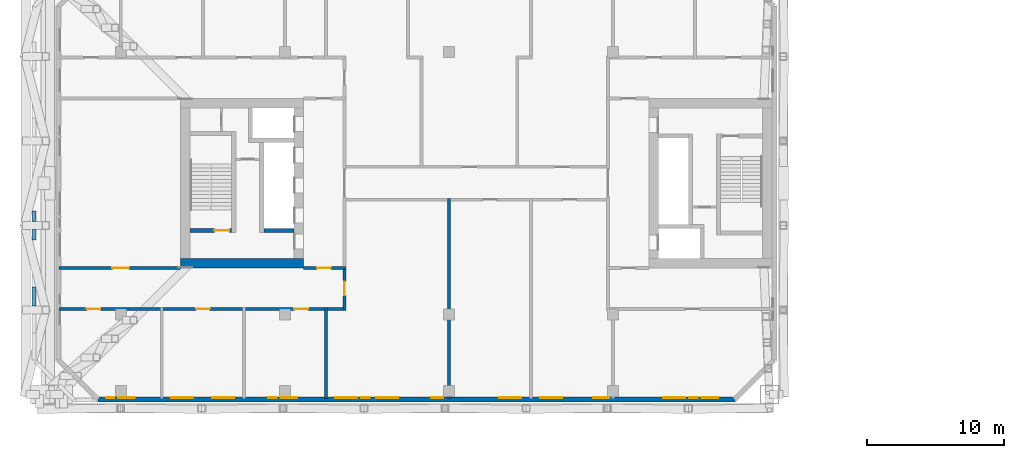
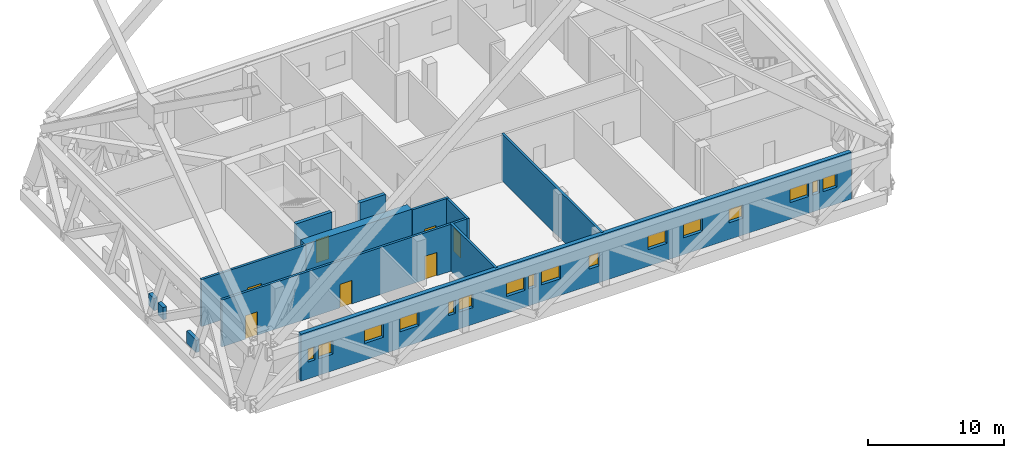
# One storey, part 7 of 20: 16 windows, 13 walls, 7 doors, 23 openings.
"""IFC4 building model written with IfcOpenShell, lengths in metres."""

import ifcopenshell
import ifcopenshell.guid

model = None  # the IFC model being written
_history = None  # IfcOwnerHistory: only IFC2X3 demands one
_inside = {}  # id of a spatial element -> (the spatial element, [elements in it])
_under = {}  # id of a project, library or spatial element -> (it, [spatial elements below it])
_declared = {}  # id of a project -> (the project, [libraries it declares])
_typed = {}  # id of a type object -> (the type object, [elements of that type])
_made_of = {}  # id of a material, layer set ... -> (it, [elements and type objects made of it])


def new_model(schema):
    """Start an empty IFC model of exactly this schema.

    Asked for "IFC4X3", IfcOpenShell would pick the latest addendum, in which some entities
    have other attributes; the version numbers below select the first issue.
    IFC2X3 requires an IfcOwnerHistory on every rooted entity: one is made here for all.
    """
    global model, _history
    if schema == "IFC4X3":
        model = ifcopenshell.file(schema_version=(4, 3, 0, 0))
    else:
        model = ifcopenshell.file(schema=schema)
    _inside.clear()
    _under.clear()
    _declared.clear()
    _typed.clear()
    _made_of.clear()
    _history = None
    if model.schema == "IFC2X3":
        org = make("IfcOrganization", Name="unknown")
        user = make(
            "IfcPersonAndOrganization",
            ThePerson=make("IfcPerson", FamilyName="unknown"),
            TheOrganization=org,
        )
        app = make(
            "IfcApplication",
            ApplicationDeveloper=org,
            Version="unknown",
            ApplicationFullName="unknown",
            ApplicationIdentifier="unknown",
        )
        _history = make(
            "IfcOwnerHistory",
            OwningUser=user,
            OwningApplication=app,
            ChangeAction="ADDED",
            CreationDate=0,
        )
    return model


def make(cls, **values):
    """One entity of the class cls with the attributes given. An attribute that is None is left unset."""
    return model.create_entity(
        cls, **{name: value for name, value in values.items() if value is not None}
    )


def rooted(cls, **values):
    """An entity with a GlobalId (a new one), such as an element, a storey or a relation."""
    return make(cls, GlobalId=ifcopenshell.guid.new(), OwnerHistory=_history, **values)


def si_unit(unit_type, name, prefix=None):
    """IfcSIUnit, for example si_unit("LENGTHUNIT", "METRE", prefix="MILLI")."""
    return make("IfcSIUnit", UnitType=unit_type, Prefix=prefix, Name=name)


def assignment(units):
    """IfcUnitAssignment: the units of a project."""
    return None if units is None else make("IfcUnitAssignment", Units=units)


def point(xyz):
    """IfcCartesianPoint."""
    return None if xyz is None else make("IfcCartesianPoint", Coordinates=xyz)


def direction(xyz):
    """IfcDirection."""
    return None if xyz is None else make("IfcDirection", DirectionRatios=xyz)


def frame(location, z_axis=None, x_axis=None):
    """IfcAxis2Placement3D, a coordinate frame: its origin and axes. An axis left out is left unset."""
    return make(
        "IfcAxis2Placement3D",
        Location=point(location),
        Axis=direction(z_axis),
        RefDirection=direction(x_axis),
    )


def frame_2d(location, x_axis=None):
    """IfcAxis2Placement2D, a coordinate frame in the plane: its origin and x axis."""
    return make(
        "IfcAxis2Placement2D", Location=point(location), RefDirection=direction(x_axis)
    )


def origin():
    """The frame at (0, 0, 0) with its axes left unset."""
    return frame((0.0, 0.0, 0.0))


def place(relative_to, where):
    """IfcLocalPlacement: puts the frame where relative to a parent placement (None: the world)."""
    return make(
        "IfcLocalPlacement", PlacementRelTo=relative_to, RelativePlacement=where
    )


def context(
    kind, dimensions, precision=None, world=None, true_north=None, identifier=None
):
    """IfcGeometricRepresentationContext, for example the 3D "Model" context."""
    return make(
        "IfcGeometricRepresentationContext",
        ContextIdentifier=identifier,
        ContextType=kind,
        CoordinateSpaceDimension=dimensions,
        Precision=precision,
        WorldCoordinateSystem=world,
        TrueNorth=true_north,
    )


def subcontext(parent, identifier, kind, view, scale=None):
    """IfcGeometricRepresentationSubContext, for example "Body" below "Model"."""
    return make(
        "IfcGeometricRepresentationSubContext",
        ContextIdentifier=identifier,
        ContextType=kind,
        ParentContext=parent,
        TargetScale=scale,
        TargetView=view,
    )


def project(units=None, contexts=None):
    """IfcProject with its units and contexts."""
    return rooted(
        "IfcProject",
        Name="project",
        RepresentationContexts=contexts,
        UnitsInContext=assignment(units),
    )


def spatial(cls, under=None, at=None, **own):
    """A site, building, storey or space (cls), placed at a placement, below another one or the project."""
    s = rooted(cls, ObjectPlacement=at, **own)
    if under is not None:
        _under.setdefault(under.id(), (under, []))[1].append(s)
    return s


def profile(cls, at=None, kind="AREA", **sizes):
    """A parametric profile (cls). Its sizes go by their IFC names, for example OverallWidth=200.0."""
    return make(cls, ProfileType=kind, Position=at, **sizes)


def rectangle(**sizes):
    """IfcRectangleProfileDef."""
    return profile("IfcRectangleProfileDef", **sizes)


def extrude(swept, where, along, depth):
    """IfcExtrudedAreaSolid: the profile swept, set in the frame where, extruded along a direction by depth."""
    return make(
        "IfcExtrudedAreaSolid",
        SweptArea=swept,
        Position=where,
        ExtrudedDirection=direction(along),
        Depth=depth,
    )


def shape(context_of_items, identifier, shape_type, items):
    """IfcShapeRepresentation: the items that make up one representation, for example the "Body"."""
    return make(
        "IfcShapeRepresentation",
        ContextOfItems=context_of_items,
        RepresentationIdentifier=identifier,
        RepresentationType=shape_type,
        Items=items,
    )


def material(Name=None, Category=None):
    """IfcMaterial."""
    return make("IfcMaterial", Name=Name, Category=Category)


def layer(
    of_material, thickness, ventilated=None, Name=None, Category=None, Priority=None
):
    """IfcMaterialLayer: one layer of a wall or slab, of a material (None: an air gap)."""
    return make(
        "IfcMaterialLayer",
        Material=of_material,
        LayerThickness=thickness,
        IsVentilated=ventilated,
        Name=Name,
        Category=Category,
        Priority=Priority,
    )


def layer_set(layers, Name=None):
    """IfcMaterialLayerSet."""
    return make("IfcMaterialLayerSet", MaterialLayers=layers, LayerSetName=Name)


def made_of(thing, what):
    """Note that an element or type object is made of a material, layer set ...; save() writes the relation."""
    if what is not None:
        _made_of.setdefault(what.id(), (what, []))[1].append(thing)
    return thing


def type_object(cls, material=None, **own):
    """A type object (cls), such as IfcWallType, which elements share."""
    return made_of(rooted(cls, **own), material)


def element(
    cls,
    number,
    at=None,
    inside=None,
    cuts=None,
    type_object=None,
    material=None,
    context=None,
    identifier="Body",
    shape_type=None,
    held_by="IfcProductDefinitionShape",
    body=None,
    shapes=None,
    **own,
):
    """One element of the class cls, such as IfcWall. Its Tag is "e" and its number.

    at: its placement. inside: the storey or other place that contains it. cuts: it is an
    opening in that element (IfcRelVoidsElement). A single representation is given by context,
    identifier, shape_type and body (its items); several are given by shapes. held_by: the class
    of the entity that holds the representations. save() writes the other relations.
    """
    e = rooted(cls, Tag="e%d" % number, ObjectPlacement=at, **own)
    if body is not None:
        shapes = [shape(context, identifier, shape_type, body)]
    if shapes is not None:
        e.Representation = make(held_by, Representations=shapes)
    if inside is not None:
        _inside.setdefault(inside.id(), (inside, []))[1].append(e)
    if cuts is not None:
        rooted(
            "IfcRelVoidsElement", RelatingBuildingElement=cuts, RelatedOpeningElement=e
        )
    if type_object is not None:
        _typed.setdefault(type_object.id(), (type_object, []))[1].append(e)
    return made_of(e, material)


def fill(opening, filler):
    """IfcRelFillsElement: the door or window that sits in an opening."""
    return rooted(
        "IfcRelFillsElement",
        RelatingOpeningElement=opening,
        RelatedBuildingElement=filler,
    )


def aggregate(whole, parts):
    """IfcRelAggregates: a whole, such as a stair, and the parts it consists of."""
    return rooted("IfcRelAggregates", RelatingObject=whole, RelatedObjects=parts)


def save(model, path):
    """Write the relations noted so far, then the file.

    IfcRelAggregates (storeys below a building ...), IfcRelContainedInSpatialStructure (elements
    in a storey), IfcRelDefinesByType, IfcRelAssociatesMaterial and IfcRelDeclares: one each for
    every whole, place, type object, material and project.
    """
    for whole, parts in _under.values():
        aggregate(whole, parts)
    for where, things in _inside.values():
        rooted(
            "IfcRelContainedInSpatialStructure",
            RelatedElements=things,
            RelatingStructure=where,
        )
    for kind, things in _typed.values():
        rooted("IfcRelDefinesByType", RelatedObjects=things, RelatingType=kind)
    for what, things in _made_of.values():
        rooted("IfcRelAssociatesMaterial", RelatedObjects=things, RelatingMaterial=what)
    for by, libraries in _declared.values():
        rooted("IfcRelDeclares", RelatingContext=by, RelatedDefinitions=libraries)
    model.write(path)


model = new_model("IFC4")

# Units and contexts
model_context = context("Model", 3, precision=1e-05, world=origin(), true_north=direction((0.0, 1.0)))
body_context = subcontext(model_context, "Body", "Model", "MODEL_VIEW")
ifc_project = project(units=[si_unit("LENGTHUNIT", "METRE"), si_unit("AREAUNIT", "SQUARE_METRE"), si_unit("VOLUMEUNIT", "CUBIC_METRE"), si_unit("PLANEANGLEUNIT", "RADIAN"), si_unit("MASSUNIT", "GRAM", prefix="KILO")], contexts=[model_context])

# Site, building, storey
site_placement = place(None, origin())
site = spatial("IfcSite", under=ifc_project, at=site_placement, CompositionType="ELEMENT")
building_placement = place(site_placement, origin())
building = spatial("IfcBuilding", under=site, at=building_placement, Name="Tuart Gate Housing", CompositionType="ELEMENT")
storey_placement = place(building_placement, frame((0.0, 0.0, 62.89990234375)))
storey = spatial("IfcBuildingStorey", under=building, at=storey_placement, Name="L17", CompositionType="ELEMENT", Elevation=62.89990234375)

# Walls
ifc_material_1 = material(Name="Brick", Category="masonry")
ifc_layer_1 = layer(ifc_material_1, 0.300048828125)
ifc_layer_set_1 = layer_set([ifc_layer_1], Name="Brick parapet wall 300")
wall_type_1 = type_object("IfcWallType", Name="Brick parapet wall 300", PredefinedType="PARAPET", material=ifc_layer_set_1)
for number, where, z_axis, x_axis, name in (
    (1, (21.64990234375, 67.96826171875, 0.0), (0.0, 0.0, 1.0), (0.0, -1.0, 0.0), "Roof parapet A 3"),
    (2, (21.64990234375, 66.626953125, 0.0), (0.0, 0.0, 1.0), (0.0, -1.0, 0.0), "Roof parapet A 3"),
):
    element("IfcWall", number, at=place(storey_placement, frame(where, z_axis=z_axis, x_axis=x_axis)), inside=storey, type_object=wall_type_1, Name=name, PredefinedType="PARAPET", context=body_context, shape_type="SweptSolid", body=[
        extrude(rectangle(XDim=0.775146484375, YDim=0.300048828125, at=frame_2d((0.3876953125, 0.0))), origin(), (0.0, 0.0, 1.0), 1.10009765625),
    ])
wall_1_placement = place(storey_placement, frame((21.64990234375, 62.416015625, 0.0), z_axis=(0.0, 0.0, 1.0), x_axis=(0.0, -1.0, 0.0)))
element("IfcWall", 3, at=wall_1_placement, inside=storey, type_object=wall_type_1, Name="Roof parapet A 3", PredefinedType="PARAPET", context=body_context, shape_type="SweptSolid", body=[
    extrude(rectangle(XDim=1.403076171875, YDim=0.300048828125, at=frame_2d((0.70166015625, 0.0))), origin(), (0.0, 0.0, 1.0), 1.10009765625),
])

# Wall, openings, windows
ifc_material_2 = material(Name="Brick", Category="masonry")
ifc_layer_2 = layer(ifc_material_2, 0.360107421875)
ifc_layer_set_2 = layer_set([ifc_layer_2], Name="Brick pier and spandrel wall 360")
wall_type_2 = type_object("IfcWallType", Name="Brick pier and spandrel wall 360", PredefinedType="STANDARD", material=ifc_layer_set_2)
wall_2_placement = place(storey_placement, frame((26.32470703125, 54.179931640625, 0.0), z_axis=(0.0, 0.0, 1.0), x_axis=(1.0, 0.0, 0.0)))
wall_2 = element("IfcWall", 4, at=wall_2_placement, inside=storey, type_object=wall_type_2, Name="External wall A-S L17", PredefinedType="STANDARD", context=body_context, shape_type="SweptSolid", body=[
    extrude(rectangle(XDim=46.600830078125, YDim=0.360107421875, at=frame_2d((23.30029296875, 0.0))), origin(), (0.0, 0.0, 1.0), 4.2001953125),
])
opening_1_placement = place(wall_2_placement, frame((0.60009765625, 0.0, 1.5)))
opening_1 = element("IfcOpeningElement", 5, at=opening_1_placement, cuts=wall_2, Name="Opening W3C", PredefinedType="OPENING", context=body_context, shape_type="SweptSolid", body=[
    extrude(rectangle(XDim=0.60009765625, YDim=1.199951171875, at=frame_2d((0.300048828125, 0.60009765625))), frame((0.0, 0.18994140625, 0.0), z_axis=(0.0, -1.0, 0.0), x_axis=(1.0, 0.0, 0.0)), (0.0, 0.0, 1.0), 0.380126953125),
])
opening_2_placement = place(wall_2_placement, frame((5.37548828125, 0.0, 1.5)))
opening_2 = element("IfcOpeningElement", 6, at=opening_2_placement, cuts=wall_2, Name="Opening W3", PredefinedType="OPENING", context=body_context, shape_type="SweptSolid", body=[
    extrude(rectangle(XDim=1.60009765625, YDim=1.199951171875, at=frame_2d((0.800048828125, 0.60009765625))), frame((0.0, 0.18994140625, 0.0), z_axis=(0.0, -1.0, 0.0), x_axis=(1.0, 0.0, 0.0)), (0.0, 0.0, 1.0), 0.380126953125),
])
opening_3_placement = place(wall_2_placement, frame((8.37548828125, 0.0, 1.5)))
opening_3 = element("IfcOpeningElement", 7, at=opening_3_placement, cuts=wall_2, Name="Opening W3", PredefinedType="OPENING", context=body_context, shape_type="SweptSolid", body=[
    extrude(rectangle(XDim=1.60009765625, YDim=1.199951171875, at=frame_2d((0.800048828125, 0.60009765625))), frame((0.0, 0.18994140625, 0.0), z_axis=(0.0, -1.0, 0.0), x_axis=(1.0, 0.0, 0.0)), (0.0, 0.0, 1.0), 0.380126953125),
])
opening_4_placement = place(wall_2_placement, frame((12.475341796875, 0.0, 1.5)))
opening_4 = element("IfcOpeningElement", 8, at=opening_4_placement, cuts=wall_2, Name="Opening W3C", PredefinedType="OPENING", context=body_context, shape_type="SweptSolid", body=[
    extrude(rectangle(XDim=0.60009765625, YDim=1.199951171875, at=frame_2d((0.300048828125, 0.60009765625))), frame((0.0, 0.18994140625, 0.0), z_axis=(0.0, -1.0, 0.0), x_axis=(1.0, 0.0, 0.0)), (0.0, 0.0, 1.0), 0.380126953125),
])
opening_5_placement = place(wall_2_placement, frame((13.37548828125, 0.0, 1.5)))
opening_5 = element("IfcOpeningElement", 9, at=opening_5_placement, cuts=wall_2, Name="Opening W3A", PredefinedType="OPENING", context=body_context, shape_type="SweptSolid", body=[
    extrude(rectangle(XDim=1.199951171875, YDim=1.199951171875, at=frame_2d((0.60009765625, 0.60009765625))), frame((0.0, 0.18994140625, 0.0), z_axis=(0.0, -1.0, 0.0), x_axis=(1.0, 0.0, 0.0)), (0.0, 0.0, 1.0), 0.380126953125),
])
opening_6_placement = place(wall_2_placement, frame((17.37548828125, 0.0, 1.5)))
opening_6 = element("IfcOpeningElement", 10, at=opening_6_placement, cuts=wall_2, Name="Opening W3", PredefinedType="OPENING", context=body_context, shape_type="SweptSolid", body=[
    extrude(rectangle(XDim=1.60009765625, YDim=1.199951171875, at=frame_2d((0.800048828125, 0.60009765625))), frame((0.0, 0.18994140625, 0.0), z_axis=(0.0, -1.0, 0.0), x_axis=(1.0, 0.0, 0.0)), (0.0, 0.0, 1.0), 0.380126953125),
])
opening_7_placement = place(wall_2_placement, frame((20.37548828125, 0.0, 1.5)))
opening_7 = element("IfcOpeningElement", 11, at=opening_7_placement, cuts=wall_2, Name="Opening W3", PredefinedType="OPENING", context=body_context, shape_type="SweptSolid", body=[
    extrude(rectangle(XDim=1.60009765625, YDim=1.199951171875, at=frame_2d((0.800048828125, 0.60009765625))), frame((0.0, 0.18994140625, 0.0), z_axis=(0.0, -1.0, 0.0), x_axis=(1.0, 0.0, 0.0)), (0.0, 0.0, 1.0), 0.380126953125),
])
opening_8_placement = place(wall_2_placement, frame((19.275390625, 0.0, 1.5)))
opening_8 = element("IfcOpeningElement", 12, at=opening_8_placement, cuts=wall_2, Name="Opening W3C", PredefinedType="OPENING", context=body_context, shape_type="SweptSolid", body=[
    extrude(rectangle(XDim=0.60009765625, YDim=1.199951171875, at=frame_2d((0.300048828125, 0.60009765625))), frame((0.0, 0.18994140625, 0.0), z_axis=(0.0, -1.0, 0.0), x_axis=(1.0, 0.0, 0.0)), (0.0, 0.0, 1.0), 0.380126953125),
])
opening_9_placement = place(wall_2_placement, frame((29.37548828125, 0.0, 1.5)))
opening_9 = element("IfcOpeningElement", 13, at=opening_9_placement, cuts=wall_2, Name="Opening W3", PredefinedType="OPENING", context=body_context, shape_type="SweptSolid", body=[
    extrude(rectangle(XDim=1.60009765625, YDim=1.199951171875, at=frame_2d((0.800048828125, 0.60009765625))), frame((0.0, 0.18994140625, 0.0), z_axis=(0.0, -1.0, 0.0), x_axis=(1.0, 0.0, 0.0)), (0.0, 0.0, 1.0), 0.380126953125),
])
opening_10_placement = place(wall_2_placement, frame((32.37548828125, 0.0, 1.5)))
opening_10 = element("IfcOpeningElement", 14, at=opening_10_placement, cuts=wall_2, Name="Opening W3", PredefinedType="OPENING", context=body_context, shape_type="SweptSolid", body=[
    extrude(rectangle(XDim=1.60009765625, YDim=1.199951171875, at=frame_2d((0.800048828125, 0.60009765625))), frame((0.0, 0.18994140625, 0.0), z_axis=(0.0, -1.0, 0.0), x_axis=(1.0, 0.0, 0.0)), (0.0, 0.0, 1.0), 0.380126953125),
])
opening_11_placement = place(wall_2_placement, frame((36.225341796875, 0.0, 1.5)))
opening_11 = element("IfcOpeningElement", 15, at=opening_11_placement, cuts=wall_2, Name="Opening W3A", PredefinedType="OPENING", context=body_context, shape_type="SweptSolid", body=[
    extrude(rectangle(XDim=1.199951171875, YDim=1.199951171875, at=frame_2d((0.60009765625, 0.60009765625))), frame((0.0, 0.18994140625, 0.0), z_axis=(0.0, -1.0, 0.0), x_axis=(1.0, 0.0, 0.0)), (0.0, 0.0, 1.0), 0.380126953125),
])
opening_12_placement = place(wall_2_placement, frame((43.275390625, 0.0, 1.5)))
opening_12 = element("IfcOpeningElement", 16, at=opening_12_placement, cuts=wall_2, Name="Opening W3C", PredefinedType="OPENING", context=body_context, shape_type="SweptSolid", body=[
    extrude(rectangle(XDim=0.60009765625, YDim=1.199951171875, at=frame_2d((0.300048828125, 0.60009765625))), frame((0.0, 0.18994140625, 0.0), z_axis=(0.0, -1.0, 0.0), x_axis=(1.0, 0.0, 0.0)), (0.0, 0.0, 1.0), 0.380126953125),
])
opening_13_placement = place(wall_2_placement, frame((41.37548828125, 0.0, 1.5)))
opening_13 = element("IfcOpeningElement", 17, at=opening_13_placement, cuts=wall_2, Name="Opening W3", PredefinedType="OPENING", context=body_context, shape_type="SweptSolid", body=[
    extrude(rectangle(XDim=1.60009765625, YDim=1.199951171875, at=frame_2d((0.800048828125, 0.60009765625))), frame((0.0, 0.18994140625, 0.0), z_axis=(0.0, -1.0, 0.0), x_axis=(1.0, 0.0, 0.0)), (0.0, 0.0, 1.0), 0.380126953125),
])
opening_14_placement = place(wall_2_placement, frame((44.17529296875, 0.0, 1.5)))
opening_14 = element("IfcOpeningElement", 18, at=opening_14_placement, cuts=wall_2, Name="Opening W3A", PredefinedType="OPENING", context=body_context, shape_type="SweptSolid", body=[
    extrude(rectangle(XDim=1.199951171875, YDim=1.199951171875, at=frame_2d((0.60009765625, 0.60009765625))), frame((0.0, 0.18994140625, 0.0), z_axis=(0.0, -1.0, 0.0), x_axis=(1.0, 0.0, 0.0)), (0.0, 0.0, 1.0), 0.380126953125),
])
opening_15_placement = place(wall_2_placement, frame((1.5, 0.0, 1.5)))
opening_15 = element("IfcOpeningElement", 19, at=opening_15_placement, cuts=wall_2, Name="Opening W3A", PredefinedType="OPENING", context=body_context, shape_type="SweptSolid", body=[
    extrude(rectangle(XDim=1.199951171875, YDim=1.199951171875, at=frame_2d((0.60009765625, 0.60009765625))), frame((0.0, 0.18994140625, 0.0), z_axis=(0.0, -1.0, 0.0), x_axis=(1.0, 0.0, 0.0)), (0.0, 0.0, 1.0), 0.380126953125),
])
opening_16_placement = place(wall_2_placement, frame((24.37548828125, 0.0, 1.5)))
opening_16 = element("IfcOpeningElement", 20, at=opening_16_placement, cuts=wall_2, Name="Opening W3B", PredefinedType="OPENING", context=body_context, shape_type="SweptSolid", body=[
    extrude(rectangle(XDim=0.89990234375, YDim=1.199951171875, at=frame_2d((0.449951171875, 0.60009765625))), frame((0.0, 0.18994140625, 0.0), z_axis=(0.0, -1.0, 0.0), x_axis=(1.0, 0.0, 0.0)), (0.0, 0.0, 1.0), 0.380126953125),
])
ifc_material_3 = material(Name="Aluminium louvre blades", Category="aluminium")
window_type_1 = type_object("IfcWindowType", Name="Louvre window 1200 x 1200", PartitioningType="DOUBLE_PANEL_HORIZONTAL", PredefinedType="WINDOW", material=ifc_material_3)
window_1_placement = place(opening_5_placement, origin())
window_1 = element("IfcWindow", 21, at=window_1_placement, inside=storey, type_object=window_type_1, Name="Louvre W3A", OverallHeight=1.199951171875, OverallWidth=1.199951171875, PartitioningType="DOUBLE_PANEL_HORIZONTAL", PredefinedType="WINDOW", context=body_context, shape_type="SweptSolid", body=[
    extrude(rectangle(XDim=1.199951171875, YDim=1.199951171875, at=frame_2d((0.60009765625, 0.60009765625))), frame((0.0, 0.150146484375, 0.0), z_axis=(0.0, -1.0, 0.0), x_axis=(1.0, 0.0, 0.0)), (0.0, 0.0, 1.0), 0.06005859375),
])
fill(opening_5, window_1)
window_2_placement = place(opening_11_placement, origin())
window_2 = element("IfcWindow", 22, at=window_2_placement, inside=storey, type_object=window_type_1, Name="Louvre W3A", OverallHeight=1.199951171875, OverallWidth=1.199951171875, PartitioningType="DOUBLE_PANEL_HORIZONTAL", PredefinedType="WINDOW", context=body_context, shape_type="SweptSolid", body=[
    extrude(rectangle(XDim=1.199951171875, YDim=1.199951171875, at=frame_2d((0.60009765625, 0.60009765625))), frame((0.0, 0.150146484375, 0.0), z_axis=(0.0, -1.0, 0.0), x_axis=(1.0, 0.0, 0.0)), (0.0, 0.0, 1.0), 0.06005859375),
])
fill(opening_11, window_2)
window_3_placement = place(opening_14_placement, origin())
window_3 = element("IfcWindow", 23, at=window_3_placement, inside=storey, type_object=window_type_1, Name="Louvre W3A", OverallHeight=1.199951171875, OverallWidth=1.199951171875, PartitioningType="DOUBLE_PANEL_HORIZONTAL", PredefinedType="WINDOW", context=body_context, shape_type="SweptSolid", body=[
    extrude(rectangle(XDim=1.199951171875, YDim=1.199951171875, at=frame_2d((0.60009765625, 0.60009765625))), frame((0.0, 0.150146484375, 0.0), z_axis=(0.0, -1.0, 0.0), x_axis=(1.0, 0.0, 0.0)), (0.0, 0.0, 1.0), 0.06005859375),
])
fill(opening_14, window_3)
window_4_placement = place(opening_15_placement, origin())
window_4 = element("IfcWindow", 24, at=window_4_placement, inside=storey, type_object=window_type_1, Name="Louvre W3A", OverallHeight=1.199951171875, OverallWidth=1.199951171875, PartitioningType="DOUBLE_PANEL_HORIZONTAL", PredefinedType="WINDOW", context=body_context, shape_type="SweptSolid", body=[
    extrude(rectangle(XDim=1.199951171875, YDim=1.199951171875, at=frame_2d((0.60009765625, 0.60009765625))), frame((0.0, 0.150146484375, 0.0), z_axis=(0.0, -1.0, 0.0), x_axis=(1.0, 0.0, 0.0)), (0.0, 0.0, 1.0), 0.06005859375),
])
fill(opening_15, window_4)
ifc_material_4 = material(Name="Aluminium louvre blades", Category="aluminium")
window_type_2 = type_object("IfcWindowType", Name="Louvre window 1600 x 1200", PartitioningType="DOUBLE_PANEL_HORIZONTAL", PredefinedType="WINDOW", material=ifc_material_4)
window_5_placement = place(opening_2_placement, origin())
window_5 = element("IfcWindow", 25, at=window_5_placement, inside=storey, type_object=window_type_2, Name="Louvre W3", OverallHeight=1.199951171875, OverallWidth=1.60009765625, PartitioningType="DOUBLE_PANEL_HORIZONTAL", PredefinedType="WINDOW", context=body_context, shape_type="SweptSolid", body=[
    extrude(rectangle(XDim=1.60009765625, YDim=1.199951171875, at=frame_2d((0.800048828125, 0.60009765625))), frame((0.0, 0.150146484375, 0.0), z_axis=(0.0, -1.0, 0.0), x_axis=(1.0, 0.0, 0.0)), (0.0, 0.0, 1.0), 0.06005859375),
])
fill(opening_2, window_5)
window_6_placement = place(opening_3_placement, origin())
window_6 = element("IfcWindow", 26, at=window_6_placement, inside=storey, type_object=window_type_2, Name="Louvre W3", OverallHeight=1.199951171875, OverallWidth=1.60009765625, PartitioningType="DOUBLE_PANEL_HORIZONTAL", PredefinedType="WINDOW", context=body_context, shape_type="SweptSolid", body=[
    extrude(rectangle(XDim=1.60009765625, YDim=1.199951171875, at=frame_2d((0.800048828125, 0.60009765625))), frame((0.0, 0.150146484375, 0.0), z_axis=(0.0, -1.0, 0.0), x_axis=(1.0, 0.0, 0.0)), (0.0, 0.0, 1.0), 0.06005859375),
])
fill(opening_3, window_6)
window_7_placement = place(opening_6_placement, origin())
window_7 = element("IfcWindow", 27, at=window_7_placement, inside=storey, type_object=window_type_2, Name="Louvre W3", OverallHeight=1.199951171875, OverallWidth=1.60009765625, PartitioningType="DOUBLE_PANEL_HORIZONTAL", PredefinedType="WINDOW", context=body_context, shape_type="SweptSolid", body=[
    extrude(rectangle(XDim=1.60009765625, YDim=1.199951171875, at=frame_2d((0.800048828125, 0.60009765625))), frame((0.0, 0.150146484375, 0.0), z_axis=(0.0, -1.0, 0.0), x_axis=(1.0, 0.0, 0.0)), (0.0, 0.0, 1.0), 0.06005859375),
])
fill(opening_6, window_7)
window_8_placement = place(opening_7_placement, origin())
window_8 = element("IfcWindow", 28, at=window_8_placement, inside=storey, type_object=window_type_2, Name="Louvre W3", OverallHeight=1.199951171875, OverallWidth=1.60009765625, PartitioningType="DOUBLE_PANEL_HORIZONTAL", PredefinedType="WINDOW", context=body_context, shape_type="SweptSolid", body=[
    extrude(rectangle(XDim=1.60009765625, YDim=1.199951171875, at=frame_2d((0.800048828125, 0.60009765625))), frame((0.0, 0.150146484375, 0.0), z_axis=(0.0, -1.0, 0.0), x_axis=(1.0, 0.0, 0.0)), (0.0, 0.0, 1.0), 0.06005859375),
])
fill(opening_7, window_8)
window_9_placement = place(opening_9_placement, origin())
window_9 = element("IfcWindow", 29, at=window_9_placement, inside=storey, type_object=window_type_2, Name="Louvre W3", OverallHeight=1.199951171875, OverallWidth=1.60009765625, PartitioningType="DOUBLE_PANEL_HORIZONTAL", PredefinedType="WINDOW", context=body_context, shape_type="SweptSolid", body=[
    extrude(rectangle(XDim=1.60009765625, YDim=1.199951171875, at=frame_2d((0.800048828125, 0.60009765625))), frame((0.0, 0.150146484375, 0.0), z_axis=(0.0, -1.0, 0.0), x_axis=(1.0, 0.0, 0.0)), (0.0, 0.0, 1.0), 0.06005859375),
])
fill(opening_9, window_9)
window_10_placement = place(opening_10_placement, origin())
window_10 = element("IfcWindow", 30, at=window_10_placement, inside=storey, type_object=window_type_2, Name="Louvre W3", OverallHeight=1.199951171875, OverallWidth=1.60009765625, PartitioningType="DOUBLE_PANEL_HORIZONTAL", PredefinedType="WINDOW", context=body_context, shape_type="SweptSolid", body=[
    extrude(rectangle(XDim=1.60009765625, YDim=1.199951171875, at=frame_2d((0.800048828125, 0.60009765625))), frame((0.0, 0.150146484375, 0.0), z_axis=(0.0, -1.0, 0.0), x_axis=(1.0, 0.0, 0.0)), (0.0, 0.0, 1.0), 0.06005859375),
])
fill(opening_10, window_10)
window_11_placement = place(opening_13_placement, origin())
window_11 = element("IfcWindow", 31, at=window_11_placement, inside=storey, type_object=window_type_2, Name="Louvre W3", OverallHeight=1.199951171875, OverallWidth=1.60009765625, PartitioningType="DOUBLE_PANEL_HORIZONTAL", PredefinedType="WINDOW", context=body_context, shape_type="SweptSolid", body=[
    extrude(rectangle(XDim=1.60009765625, YDim=1.199951171875, at=frame_2d((0.800048828125, 0.60009765625))), frame((0.0, 0.150146484375, 0.0), z_axis=(0.0, -1.0, 0.0), x_axis=(1.0, 0.0, 0.0)), (0.0, 0.0, 1.0), 0.06005859375),
])
fill(opening_13, window_11)
ifc_material_5 = material(Name="Aluminium louvre blades", Category="aluminium")
window_type_3 = type_object("IfcWindowType", Name="Louvre window 600 x 1200", PartitioningType="DOUBLE_PANEL_HORIZONTAL", PredefinedType="WINDOW", material=ifc_material_5)
window_12_placement = place(opening_1_placement, origin())
window_12 = element("IfcWindow", 32, at=window_12_placement, inside=storey, type_object=window_type_3, Name="Louvre W3C", OverallHeight=1.199951171875, OverallWidth=0.60009765625, PartitioningType="DOUBLE_PANEL_HORIZONTAL", PredefinedType="WINDOW", context=body_context, shape_type="SweptSolid", body=[
    extrude(rectangle(XDim=0.60009765625, YDim=1.199951171875, at=frame_2d((0.300048828125, 0.60009765625))), frame((0.0, 0.150146484375, 0.0), z_axis=(0.0, -1.0, 0.0), x_axis=(1.0, 0.0, 0.0)), (0.0, 0.0, 1.0), 0.06005859375),
])
fill(opening_1, window_12)
window_13_placement = place(opening_4_placement, origin())
window_13 = element("IfcWindow", 33, at=window_13_placement, inside=storey, type_object=window_type_3, Name="Louvre W3C", OverallHeight=1.199951171875, OverallWidth=0.60009765625, PartitioningType="DOUBLE_PANEL_HORIZONTAL", PredefinedType="WINDOW", context=body_context, shape_type="SweptSolid", body=[
    extrude(rectangle(XDim=0.60009765625, YDim=1.199951171875, at=frame_2d((0.300048828125, 0.60009765625))), frame((0.0, 0.150146484375, 0.0), z_axis=(0.0, -1.0, 0.0), x_axis=(1.0, 0.0, 0.0)), (0.0, 0.0, 1.0), 0.06005859375),
])
fill(opening_4, window_13)
window_14_placement = place(opening_8_placement, origin())
window_14 = element("IfcWindow", 34, at=window_14_placement, inside=storey, type_object=window_type_3, Name="Louvre W3C", OverallHeight=1.199951171875, OverallWidth=0.60009765625, PartitioningType="DOUBLE_PANEL_HORIZONTAL", PredefinedType="WINDOW", context=body_context, shape_type="SweptSolid", body=[
    extrude(rectangle(XDim=0.60009765625, YDim=1.199951171875, at=frame_2d((0.300048828125, 0.60009765625))), frame((0.0, 0.150146484375, 0.0), z_axis=(0.0, -1.0, 0.0), x_axis=(1.0, 0.0, 0.0)), (0.0, 0.0, 1.0), 0.06005859375),
])
fill(opening_8, window_14)
window_15_placement = place(opening_12_placement, origin())
window_15 = element("IfcWindow", 35, at=window_15_placement, inside=storey, type_object=window_type_3, Name="Louvre W3C", OverallHeight=1.199951171875, OverallWidth=0.60009765625, PartitioningType="DOUBLE_PANEL_HORIZONTAL", PredefinedType="WINDOW", context=body_context, shape_type="SweptSolid", body=[
    extrude(rectangle(XDim=0.60009765625, YDim=1.199951171875, at=frame_2d((0.300048828125, 0.60009765625))), frame((0.0, 0.150146484375, 0.0), z_axis=(0.0, -1.0, 0.0), x_axis=(1.0, 0.0, 0.0)), (0.0, 0.0, 1.0), 0.06005859375),
])
fill(opening_12, window_15)
ifc_material_6 = material(Name="Aluminium louvre blades", Category="aluminium")
window_type_4 = type_object("IfcWindowType", Name="Louvre window 900 x 1200", PartitioningType="DOUBLE_PANEL_HORIZONTAL", PredefinedType="WINDOW", material=ifc_material_6)
window_16_placement = place(opening_16_placement, origin())
window_16 = element("IfcWindow", 36, at=window_16_placement, inside=storey, type_object=window_type_4, Name="Louvre W3B", OverallHeight=1.199951171875, OverallWidth=0.89990234375, PartitioningType="DOUBLE_PANEL_HORIZONTAL", PredefinedType="WINDOW", context=body_context, shape_type="SweptSolid", body=[
    extrude(rectangle(XDim=0.89990234375, YDim=1.199951171875, at=frame_2d((0.449951171875, 0.60009765625))), frame((0.0, 0.150146484375, 0.0), z_axis=(0.0, -1.0, 0.0), x_axis=(1.0, 0.0, 0.0)), (0.0, 0.0, 1.0), 0.06005859375),
])
fill(opening_16, window_16)

# Wall
ifc_material_7 = material(Name="Concrete C50", Category="concrete")
ifc_layer_3 = layer(ifc_material_7, 0.300048828125)
ifc_layer_set_3 = layer_set([ifc_layer_3], Name="Core wall 300 C50")
wall_type_3 = type_object("IfcWallType", Name="Core wall 300 C50", PredefinedType="SHEAR", material=ifc_layer_set_3)
wall_3_placement = place(storey_placement, frame((40.659912109375, 66.550048828125, 0.0), z_axis=(0.0, 0.0, 1.0), x_axis=(-1.0, 0.0, 0.0)))
element("IfcWall", 37, at=wall_3_placement, inside=storey, type_object=wall_type_3, Name="Core wall AK.4", PredefinedType="SHEAR", context=body_context, shape_type="SweptSolid", body=[
    extrude(rectangle(XDim=2.199951171875, YDim=0.300048828125, at=frame_2d((1.10009765625, 0.0))), origin(), (0.0, 0.0, 1.0), 4.2001953125),
])

# Wall, opening, door
wall_4_placement = place(storey_placement, frame((36.110107421875, 66.550048828125, 0.0), z_axis=(0.0, 0.0, 1.0), x_axis=(-1.0, 0.0, 0.0)))
wall_4 = element("IfcWall", 38, at=wall_4_placement, inside=storey, type_object=wall_type_3, Name="Core wall AK.5", PredefinedType="SHEAR", context=body_context, shape_type="SweptSolid", body=[
    extrude(rectangle(XDim=3.050048828125, YDim=0.300048828125, at=frame_2d((1.52490234375, 0.0))), origin(), (0.0, 0.0, 1.0), 4.2001953125),
])
opening_17_placement = place(wall_4_placement, frame((0.169921875, 0.0, 0.0)))
opening_17 = element("IfcOpeningElement", 39, at=opening_17_placement, cuts=wall_4, Name="Opening D3333", PredefinedType="OPENING", context=body_context, shape_type="SweptSolid", body=[
    extrude(rectangle(XDim=1.10009765625, YDim=2.10009765625, at=frame_2d((0.550048828125, 1.050048828125))), frame((0.0, 0.159912109375, 0.0), z_axis=(0.0, -1.0, 0.0), x_axis=(1.0, 0.0, 0.0)), (0.0, 0.0, 1.0), 0.320068359375),
])
ifc_material_8 = material(Name="Steel fire door", Category="steel")
door_type_1 = type_object("IfcDoorType", Name="Stair door 1100 x 2100 RH", OperationType="SINGLE_SWING_RIGHT", PredefinedType="DOOR", material=ifc_material_8)
door_1_placement = place(opening_17_placement, frame((1.10009765625, 0.0, 0.0), z_axis=(0.0, 0.0, 1.0), x_axis=(-1.0, 0.0, 0.0)))
door_1 = element("IfcDoor", 40, at=door_1_placement, inside=storey, type_object=door_type_1, Name="Stair door AK.SD", OperationType="SINGLE_SWING_RIGHT", OverallHeight=2.10009765625, OverallWidth=1.10009765625, PredefinedType="DOOR", context=body_context, shape_type="SweptSolid", body=[
    extrude(rectangle(XDim=1.10009765625, YDim=2.10009765625, at=frame_2d((0.550048828125, 1.050048828125))), frame((0.0, 0.025146484375, 0.0), z_axis=(0.0, -1.0, 0.0), x_axis=(1.0, 0.0, 0.0)), (0.0, 0.0, 1.0), 0.050048828125),
])
fill(opening_17, door_1)

# Wall
ifc_material_9 = material(Name="Concrete C50", Category="concrete")
ifc_layer_4 = layer(ifc_material_9, 0.699951171875)
ifc_layer_set_4 = layer_set([ifc_layer_4], Name="Core wall 700 C50")
wall_type_4 = type_object("IfcWallType", Name="Core wall 700 C50", PredefinedType="SHEAR", material=ifc_layer_set_4)
wall_5_placement = place(storey_placement, frame((41.360107421875, 64.14990234375, 0.0), z_axis=(0.0, 0.0, 1.0), x_axis=(-1.0, 0.0, 0.0)))
element("IfcWall", 41, at=wall_5_placement, inside=storey, type_object=wall_type_4, Name="Core wall AK north", PredefinedType="SHEAR", context=body_context, shape_type="SweptSolid", body=[
    extrude(rectangle(XDim=9.0, YDim=0.699951171875, at=frame_2d((4.5, 0.0))), origin(), (0.0, 0.0, 1.0), 4.2001953125),
])

# Wall, openings, doors
ifc_material_10 = material(Name="Concrete masonry 15 MPa", Category="masonry")
ifc_layer_5 = layer(ifc_material_10, 0.199951171875)
ifc_layer_set_5 = layer_set([ifc_layer_5], Name="Enclosure wall masonry 200")
wall_type_5 = type_object("IfcWallType", Name="Enclosure wall masonry 200", PredefinedType="PARTITIONING", material=ifc_layer_set_5)
wall_6_placement = place(storey_placement, frame((23.489990234375, 60.800048828125, 0.0), z_axis=(0.0, 0.0, 1.0), x_axis=(1.0, 0.0, 0.0)))
wall_6 = element("IfcWall", 42, at=wall_6_placement, inside=storey, type_object=wall_type_5, Name="Enclosure wall masonry 200", PredefinedType="PARTITIONING", context=body_context, shape_type="SweptSolid", body=[
    extrude(rectangle(XDim=20.969970703125, YDim=0.199951171875, at=frame_2d((10.48486328125, 0.0))), origin(), (0.0, 0.0, 1.0), 4.2001953125),
])
opening_18_placement = place(wall_6_placement, frame((2.014892578125, 0.0, 0.0)))
opening_18 = element("IfcOpeningElement", 43, at=opening_18_placement, cuts=wall_6, Name="Opening D3338", PredefinedType="OPENING", context=body_context, shape_type="SweptSolid", body=[
    extrude(rectangle(XDim=1.0, YDim=2.10009765625, at=frame_2d((0.5, 1.050048828125))), frame((0.0, 0.10986328125, 0.0), z_axis=(0.0, -1.0, 0.0), x_axis=(1.0, 0.0, 0.0)), (0.0, 0.0, 1.0), 0.219970703125),
])
opening_19_placement = place(wall_6_placement, frame((10.010009765625, 0.0, 0.0)))
opening_19 = element("IfcOpeningElement", 44, at=opening_19_placement, cuts=wall_6, Name="Opening D3339", PredefinedType="OPENING", context=body_context, shape_type="SweptSolid", body=[
    extrude(rectangle(XDim=1.0, YDim=2.10009765625, at=frame_2d((0.5, 1.050048828125))), frame((0.0, 0.10986328125, 0.0), z_axis=(0.0, -1.0, 0.0), x_axis=(1.0, 0.0, 0.0)), (0.0, 0.0, 1.0), 0.219970703125),
])
opening_20_placement = place(wall_6_placement, frame((17.2099609375, 0.0, 0.0)))
opening_20 = element("IfcOpeningElement", 45, at=opening_20_placement, cuts=wall_6, Name="Opening D3340", PredefinedType="OPENING", context=body_context, shape_type="SweptSolid", body=[
    extrude(rectangle(XDim=1.0, YDim=2.10009765625, at=frame_2d((0.5, 1.050048828125))), frame((0.0, 0.10986328125, 0.0), z_axis=(0.0, -1.0, 0.0), x_axis=(1.0, 0.0, 0.0)), (0.0, 0.0, 1.0), 0.219970703125),
])
ifc_material_11 = material(Name="Timber door leaf in steel frame", Category="steel")
door_type_2 = type_object("IfcDoorType", Name="Fire door 1000", OperationType="SINGLE_SWING_LEFT", PredefinedType="DOOR", material=ifc_material_11)
door_2_placement = place(opening_20_placement, frame((1.0, 0.0, 0.0), z_axis=(0.0, 0.0, 1.0), x_axis=(-1.0, 0.0, 0.0)))
door_2 = element("IfcDoor", 46, at=door_2_placement, inside=storey, type_object=door_type_2, Name="Fire door 1000", OperationType="SINGLE_SWING_LEFT", OverallHeight=2.10009765625, OverallWidth=1.0, PredefinedType="DOOR", context=body_context, shape_type="SweptSolid", body=[
    extrude(rectangle(XDim=1.0, YDim=2.10009765625, at=frame_2d((0.5, 1.050048828125))), frame((0.0, 0.025146484375, 0.0), z_axis=(0.0, -1.0, 0.0), x_axis=(1.0, 0.0, 0.0)), (0.0, 0.0, 1.0), 0.050048828125),
])
fill(opening_20, door_2)
ifc_material_12 = material(Name="Timber door leaf in steel frame", Category="steel")
door_type_3 = type_object("IfcDoorType", Name="Fire door 1000 RH", OperationType="SINGLE_SWING_RIGHT", PredefinedType="DOOR", material=ifc_material_12)
door_3_placement = place(opening_18_placement, frame((1.0, 0.0, 0.0), z_axis=(0.0, 0.0, 1.0), x_axis=(-1.0, 0.0, 0.0)))
door_3 = element("IfcDoor", 47, at=door_3_placement, inside=storey, type_object=door_type_3, Name="Fire door 1000", OperationType="SINGLE_SWING_RIGHT", OverallHeight=2.10009765625, OverallWidth=1.0, PredefinedType="DOOR", context=body_context, shape_type="SweptSolid", body=[
    extrude(rectangle(XDim=1.0, YDim=2.10009765625, at=frame_2d((0.5, 1.050048828125))), frame((0.0, 0.025146484375, 0.0), z_axis=(0.0, -1.0, 0.0), x_axis=(1.0, 0.0, 0.0)), (0.0, 0.0, 1.0), 0.050048828125),
])
fill(opening_18, door_3)
door_4_placement = place(opening_19_placement, frame((1.0, 0.0, 0.0), z_axis=(0.0, 0.0, 1.0), x_axis=(-1.0, 0.0, 0.0)))
door_4 = element("IfcDoor", 48, at=door_4_placement, inside=storey, type_object=door_type_3, Name="Fire door 1000", OperationType="SINGLE_SWING_RIGHT", OverallHeight=2.10009765625, OverallWidth=1.0, PredefinedType="DOOR", context=body_context, shape_type="SweptSolid", body=[
    extrude(rectangle(XDim=1.0, YDim=2.10009765625, at=frame_2d((0.5, 1.050048828125))), frame((0.0, 0.025146484375, 0.0), z_axis=(0.0, -1.0, 0.0), x_axis=(1.0, 0.0, 0.0)), (0.0, 0.0, 1.0), 0.050048828125),
])
fill(opening_19, door_4)

# Wall, opening, door
wall_7_placement = place(storey_placement, frame((23.489990234375, 63.800048828125, 0.0), z_axis=(0.0, 0.0, 1.0), x_axis=(1.0, 0.0, 0.0)))
wall_7 = element("IfcWall", 49, at=wall_7_placement, inside=storey, type_object=wall_type_5, Name="Enclosure wall masonry 200", PredefinedType="PARTITIONING", context=body_context, shape_type="SweptSolid", body=[
    extrude(rectangle(XDim=8.8701171875, YDim=0.199951171875, at=frame_2d((4.43505859375, 0.0))), origin(), (0.0, 0.0, 1.0), 4.2001953125),
])
opening_21_placement = place(wall_7_placement, frame((3.89501953125, 0.0, 0.0)))
opening_21 = element("IfcOpeningElement", 50, at=opening_21_placement, cuts=wall_7, Name="Opening D3334", PredefinedType="OPENING", context=body_context, shape_type="SweptSolid", body=[
    extrude(rectangle(XDim=1.199951171875, YDim=2.10009765625, at=frame_2d((0.60009765625, 1.050048828125))), frame((0.0, 0.10986328125, 0.0), z_axis=(0.0, -1.0, 0.0), x_axis=(1.0, 0.0, 0.0)), (0.0, 0.0, 1.0), 0.219970703125),
])
ifc_material_13 = material(Name="Timber door leaf in steel frame", Category="steel")
door_type_4 = type_object("IfcDoorType", Name="Fire door 1200", OperationType="SINGLE_SWING_LEFT", PredefinedType="DOOR", material=ifc_material_13)
door_5_placement = place(opening_21_placement, origin())
door_5 = element("IfcDoor", 51, at=door_5_placement, inside=storey, type_object=door_type_4, Name="Fire door 1200", OperationType="SINGLE_SWING_LEFT", OverallHeight=2.10009765625, OverallWidth=1.199951171875, PredefinedType="DOOR", context=body_context, shape_type="SweptSolid", body=[
    extrude(rectangle(XDim=1.199951171875, YDim=2.10009765625, at=frame_2d((0.60009765625, 1.050048828125))), frame((0.0, 0.02490234375, 0.0), z_axis=(0.0, -1.0, 0.0), x_axis=(1.0, 0.0, 0.0)), (0.0, 0.0, 1.0), 0.050048828125),
])
fill(opening_21, door_5)

wall_8_placement = place(storey_placement, frame((41.360107421875, 63.800048828125, 0.0), z_axis=(0.0, 0.0, 1.0), x_axis=(1.0, 0.0, 0.0)))
wall_8 = element("IfcWall", 52, at=wall_8_placement, inside=storey, type_object=wall_type_5, Name="Enclosure wall masonry 200", PredefinedType="PARTITIONING", context=body_context, shape_type="SweptSolid", body=[
    extrude(rectangle(XDim=3.099853515625, YDim=0.199951171875, at=frame_2d((1.5498046875, 0.0))), origin(), (0.0, 0.0, 1.0), 4.2001953125),
])
opening_22_placement = place(wall_8_placement, frame((1.0, 0.0, 0.0)))
opening_22 = element("IfcOpeningElement", 53, at=opening_22_placement, cuts=wall_8, Name="Opening D3335", PredefinedType="OPENING", context=body_context, shape_type="SweptSolid", body=[
    extrude(rectangle(XDim=1.0, YDim=2.10009765625, at=frame_2d((0.5, 1.050048828125))), frame((0.0, 0.10986328125, 0.0), z_axis=(0.0, -1.0, 0.0), x_axis=(1.0, 0.0, 0.0)), (0.0, 0.0, 1.0), 0.219970703125),
])
ifc_material_14 = material(Name="Timber door leaf in steel frame", Category="steel")
door_type_5 = type_object("IfcDoorType", Name="Lobby door 1000", OperationType="SINGLE_SWING_LEFT", PredefinedType="DOOR", material=ifc_material_14)
door_6_placement = place(opening_22_placement, frame((1.0, 0.0, 0.0), z_axis=(0.0, 0.0, 1.0), x_axis=(-1.0, 0.0, 0.0)))
door_6 = element("IfcDoor", 54, at=door_6_placement, inside=storey, type_object=door_type_5, Name="Lobby door 1000", OperationType="SINGLE_SWING_LEFT", OverallHeight=2.10009765625, OverallWidth=1.0, PredefinedType="DOOR", context=body_context, shape_type="SweptSolid", body=[
    extrude(rectangle(XDim=1.0, YDim=2.10009765625, at=frame_2d((0.5, 1.050048828125))), frame((0.0, 0.025146484375, 0.0), z_axis=(0.0, -1.0, 0.0), x_axis=(1.0, 0.0, 0.0)), (0.0, 0.0, 1.0), 0.050048828125),
])
fill(opening_22, door_6)

# Wall
wall_9_placement = place(storey_placement, frame((43.0, 54.239990234375, 0.0), z_axis=(0.0, 0.0, 1.0), x_axis=(0.0, 1.0, 0.0)))
element("IfcWall", 55, at=wall_9_placement, inside=storey, type_object=wall_type_5, Name="Enclosure wall masonry 200", PredefinedType="PARTITIONING", context=body_context, shape_type="SweptSolid", body=[
    extrude(rectangle(XDim=6.659912109375, YDim=0.199951171875, at=frame_2d((3.330078125, 0.0))), origin(), (0.0, 0.0, 1.0), 4.2001953125),
])

# Wall, opening, door
wall_10_placement = place(storey_placement, frame((44.360107421875, 60.699951171875, 0.0), z_axis=(0.0, 0.0, 1.0), x_axis=(0.0, 1.0, 0.0)))
wall_10 = element("IfcWall", 56, at=wall_10_placement, inside=storey, type_object=wall_type_5, Name="Enclosure wall masonry 200", PredefinedType="PARTITIONING", context=body_context, shape_type="SweptSolid", body=[
    extrude(rectangle(XDim=3.199951171875, YDim=0.199951171875, at=frame_2d((1.60009765625, 0.0))), origin(), (0.0, 0.0, 1.0), 4.2001953125),
])
opening_23_placement = place(wall_10_placement, frame((1.10009765625, 0.0, 0.0)))
opening_23 = element("IfcOpeningElement", 57, at=opening_23_placement, cuts=wall_10, Name="Opening D3337", PredefinedType="OPENING", context=body_context, shape_type="SweptSolid", body=[
    extrude(rectangle(XDim=1.0, YDim=2.10009765625, at=frame_2d((0.5, 1.050048828125))), frame((0.0, 0.10986328125, 0.0), z_axis=(0.0, -1.0, 0.0), x_axis=(1.0, 0.0, 0.0)), (0.0, 0.0, 1.0), 0.219970703125),
])
door_7_placement = place(opening_23_placement, frame((1.0, 0.0, 0.0), z_axis=(0.0, 0.0, 1.0), x_axis=(-1.0, 0.0, 0.0)))
door_7 = element("IfcDoor", 58, at=door_7_placement, inside=storey, type_object=door_type_2, Name="Fire door 1000", OperationType="SINGLE_SWING_LEFT", OverallHeight=2.10009765625, OverallWidth=1.0, PredefinedType="DOOR", context=body_context, shape_type="SweptSolid", body=[
    extrude(rectangle(XDim=1.0, YDim=2.10009765625, at=frame_2d((0.5, 1.050048828125))), frame((0.0, 0.025146484375, 0.0), z_axis=(0.0, -1.0, 0.0), x_axis=(1.0, 0.0, 0.0)), (0.0, 0.0, 1.0), 0.050048828125),
])
fill(opening_23, door_7)

# Wall
wall_11_placement = place(storey_placement, frame((52.0, 54.239990234375, 0.0), z_axis=(0.0, 0.0, 1.0), x_axis=(0.0, 1.0, 0.0)))
element("IfcWall", 59, at=wall_11_placement, inside=storey, type_object=wall_type_5, Name="Enclosure wall masonry 200", PredefinedType="PARTITIONING", context=body_context, shape_type="SweptSolid", body=[
    extrude(rectangle(XDim=14.659912109375, YDim=0.199951171875, at=frame_2d((7.330078125, 0.0))), origin(), (0.0, 0.0, 1.0), 4.2001953125),
])

save(model, "model.ifc")
